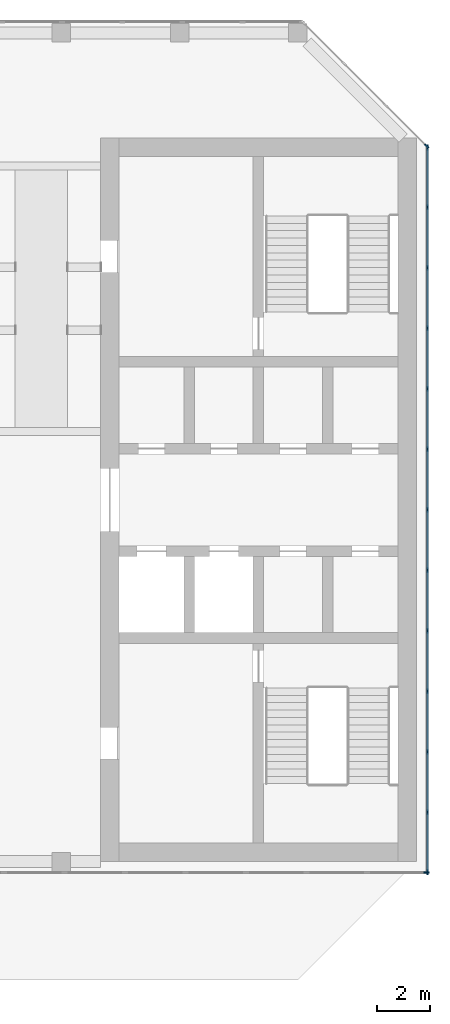
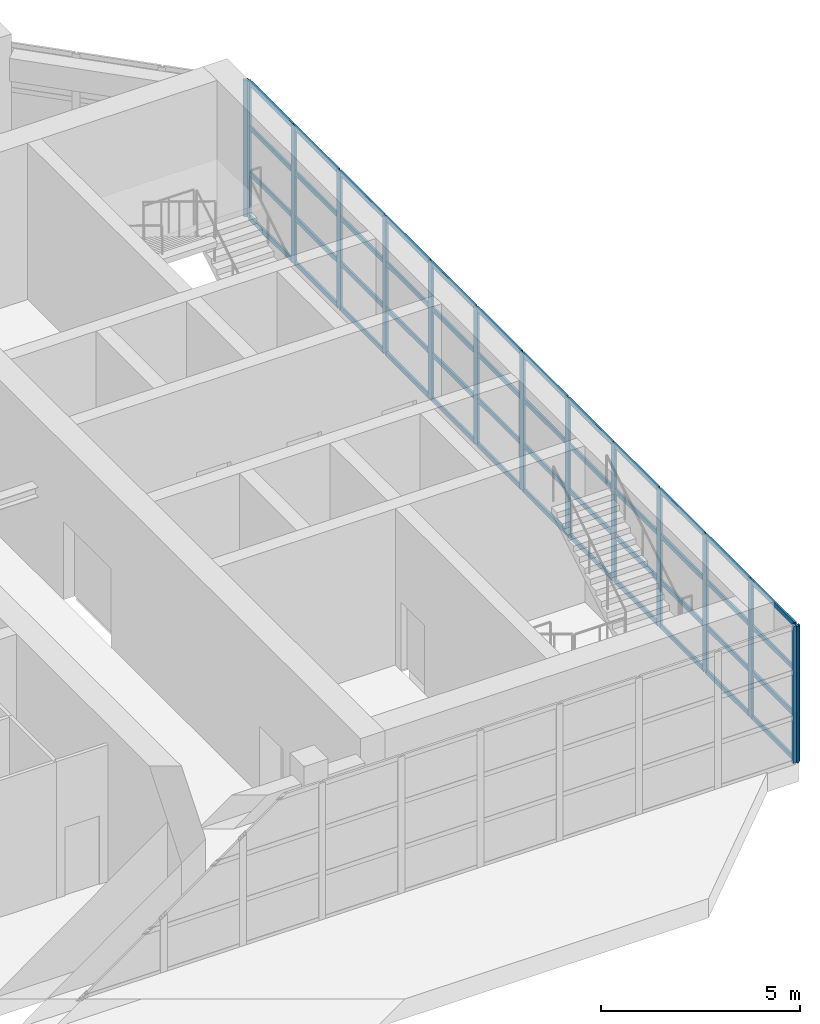
# One storey, part 5 of 13: 63 members, 3 elements without a shape of their own.
"""IFC4 building model written with IfcOpenShell, lengths in metres."""

from ifc_helpers import new_model, si_unit, direction, frame, origin, origin_2d, place, context, subcontext, project, spatial, rectangle, extrude, material, material_profile, profile_set, type_object, element, aggregate, save


model = new_model("IFC4")

# Units and contexts
model_context = context("Model", 3, precision=1e-05, world=origin(), true_north=direction((0.0, 1.0)))
body_context = subcontext(model_context, "Body", "Model", "MODEL_VIEW")
ifc_project = project(units=[si_unit("LENGTHUNIT", "METRE"), si_unit("AREAUNIT", "SQUARE_METRE"), si_unit("VOLUMEUNIT", "CUBIC_METRE"), si_unit("PLANEANGLEUNIT", "RADIAN"), si_unit("MASSUNIT", "GRAM", prefix="KILO")], contexts=[model_context])

# Site, building, storey
site_placement = place(None, origin())
site = spatial("IfcSite", under=ifc_project, at=site_placement, CompositionType="ELEMENT")
building_placement = place(site_placement, origin())
building = spatial("IfcBuilding", under=site, at=building_placement, Name="Corbel Stack Research Tower", CompositionType="ELEMENT")
storey_placement = place(building_placement, frame((0.0, 0.0, 311.800048828125)))
storey = spatial("IfcBuildingStorey", under=building, at=storey_placement, Name="L70", CompositionType="ELEMENT", Elevation=311.800048828125)

# Curtain wall, member
ifc_material_1 = material(Name="Aluminium and glass", Category="aluminium")
curtain_wall_type = type_object("IfcCurtainWallType", Name="CW4C damper hall glazing wall, corner", PredefinedType="NOTDEFINED", material=ifc_material_1)
curtain_wall_1_placement = place(storey_placement, origin())
curtain_wall_1 = element("IfcCurtainWall", 1, at=curtain_wall_1_placement, inside=storey, type_object=curtain_wall_type, Name="Damper hall curtain wall L70 5", PredefinedType="NOTDEFINED")
ifc_material_2 = material(Name="Aluminium, anodised", Category="aluminium")
ifc_material_profile_1 = material_profile(ifc_material_2, rectangle(XDim=0.06005859375, YDim=0.199951171875, at=origin_2d()), Name="CW4 mullion 60 x 200")
ifc_profile_set_1 = profile_set([ifc_material_profile_1], Name="Aluminium, anodised")
member_type_1 = type_object("IfcMemberType", Name="CW4 mullion 60 x 200", PredefinedType="MULLION", material=ifc_profile_set_1)
member_1_placement = place(storey_placement, frame((18.398681640625, 18.1953125, 0.0), z_axis=(0.0, 0.0, 1.0), x_axis=(0.707106781187, 0.707106781187, 0.0)))
member_1 = element("IfcMember", 2, at=member_1_placement, type_object=member_type_1, Name="CW4C mullion 4", PredefinedType="MULLION", context=body_context, shape_type="SweptSolid", body=[
    extrude(rectangle(XDim=0.06005859375, YDim=0.199951171875, at=origin_2d()), origin(), (0.0, 0.0, 1.0), 4.199951171875),
])
aggregate(curtain_wall_1, [member_1])

# Curtain wall, members
curtain_wall_2_placement = place(storey_placement, origin())
curtain_wall_2 = element("IfcCurtainWall", 3, at=curtain_wall_2_placement, inside=storey, type_object=curtain_wall_type, Name="Damper hall curtain wall L70 6", PredefinedType="NOTDEFINED")
member_2_placement = place(storey_placement, frame((18.419921875, 18.14404296875, 0.0), z_axis=(0.0, 0.0, 1.0), x_axis=(1.0, 0.0, 0.0)))
member_2 = element("IfcMember", 4, at=member_2_placement, type_object=member_type_1, Name="CW4C mullion 1", PredefinedType="MULLION", context=body_context, shape_type="SweptSolid", body=[
    extrude(rectangle(XDim=0.06005859375, YDim=0.199951171875, at=origin_2d()), origin(), (0.0, 0.0, 1.0), 4.199951171875),
])
member_3_placement = place(storey_placement, frame((18.419921875, 15.87451171875, 0.0), z_axis=(0.0, 0.0, 1.0), x_axis=(1.0, 0.0, 0.0)))
member_3 = element("IfcMember", 5, at=member_3_placement, type_object=member_type_1, Name="CW4C mullion 2", PredefinedType="MULLION", context=body_context, shape_type="SweptSolid", body=[
    extrude(rectangle(XDim=0.06005859375, YDim=0.199951171875, at=origin_2d()), origin(), (0.0, 0.0, 1.0), 4.199951171875),
])
member_4_placement = place(storey_placement, frame((18.419921875, 13.574951171875, 0.0), z_axis=(0.0, 0.0, 1.0), x_axis=(1.0, 0.0, 0.0)))
member_4 = element("IfcMember", 6, at=member_4_placement, type_object=member_type_1, Name="CW4C mullion 3", PredefinedType="MULLION", context=body_context, shape_type="SweptSolid", body=[
    extrude(rectangle(XDim=0.06005859375, YDim=0.199951171875, at=origin_2d()), origin(), (0.0, 0.0, 1.0), 4.199951171875),
])
member_5_placement = place(storey_placement, frame((18.419921875, 11.275390625, 0.0), z_axis=(0.0, 0.0, 1.0), x_axis=(1.0, 0.0, 0.0)))
member_5 = element("IfcMember", 7, at=member_5_placement, type_object=member_type_1, Name="CW4C mullion 4", PredefinedType="MULLION", context=body_context, shape_type="SweptSolid", body=[
    extrude(rectangle(XDim=0.06005859375, YDim=0.199951171875, at=origin_2d()), origin(), (0.0, 0.0, 1.0), 4.199951171875),
])
member_6_placement = place(storey_placement, frame((18.419921875, 8.97607421875, 0.0), z_axis=(0.0, 0.0, 1.0), x_axis=(1.0, 0.0, 0.0)))
member_6 = element("IfcMember", 8, at=member_6_placement, type_object=member_type_1, Name="CW4C mullion 5", PredefinedType="MULLION", context=body_context, shape_type="SweptSolid", body=[
    extrude(rectangle(XDim=0.06005859375, YDim=0.199951171875, at=origin_2d()), origin(), (0.0, 0.0, 1.0), 4.199951171875),
])
member_7_placement = place(storey_placement, frame((18.419921875, 6.676513671875, 0.0), z_axis=(0.0, 0.0, 1.0), x_axis=(1.0, 0.0, 0.0)))
member_7 = element("IfcMember", 9, at=member_7_placement, type_object=member_type_1, Name="CW4C mullion 6", PredefinedType="MULLION", context=body_context, shape_type="SweptSolid", body=[
    extrude(rectangle(XDim=0.06005859375, YDim=0.199951171875, at=origin_2d()), origin(), (0.0, 0.0, 1.0), 4.199951171875),
])
member_8_placement = place(storey_placement, frame((18.419921875, 4.376953125, 0.0), z_axis=(0.0, 0.0, 1.0), x_axis=(1.0, 0.0, 0.0)))
member_8 = element("IfcMember", 10, at=member_8_placement, type_object=member_type_1, Name="CW4C mullion 7", PredefinedType="MULLION", context=body_context, shape_type="SweptSolid", body=[
    extrude(rectangle(XDim=0.06005859375, YDim=0.199951171875, at=origin_2d()), origin(), (0.0, 0.0, 1.0), 4.199951171875),
])
member_9_placement = place(storey_placement, frame((18.419921875, 2.077392578125, 0.0), z_axis=(0.0, 0.0, 1.0), x_axis=(1.0, 0.0, 0.0)))
member_9 = element("IfcMember", 11, at=member_9_placement, type_object=member_type_1, Name="CW4C mullion 8", PredefinedType="MULLION", context=body_context, shape_type="SweptSolid", body=[
    extrude(rectangle(XDim=0.06005859375, YDim=0.199951171875, at=origin_2d()), origin(), (0.0, 0.0, 1.0), 4.199951171875),
])
member_10_placement = place(storey_placement, frame((18.419921875, -0.221923828125, 0.0), z_axis=(0.0, 0.0, 1.0), x_axis=(1.0, 0.0, 0.0)))
member_10 = element("IfcMember", 12, at=member_10_placement, type_object=member_type_1, Name="CW4C mullion 9", PredefinedType="MULLION", context=body_context, shape_type="SweptSolid", body=[
    extrude(rectangle(XDim=0.06005859375, YDim=0.199951171875, at=origin_2d()), origin(), (0.0, 0.0, 1.0), 4.199951171875),
])
member_11_placement = place(storey_placement, frame((18.419921875, -2.521484375, 0.0), z_axis=(0.0, 0.0, 1.0), x_axis=(1.0, 0.0, 0.0)))
member_11 = element("IfcMember", 13, at=member_11_placement, type_object=member_type_1, Name="CW4C mullion 10", PredefinedType="MULLION", context=body_context, shape_type="SweptSolid", body=[
    extrude(rectangle(XDim=0.06005859375, YDim=0.199951171875, at=origin_2d()), origin(), (0.0, 0.0, 1.0), 4.199951171875),
])
member_12_placement = place(storey_placement, frame((18.419921875, -4.821044921875, 0.0), z_axis=(0.0, 0.0, 1.0), x_axis=(1.0, 0.0, 0.0)))
member_12 = element("IfcMember", 14, at=member_12_placement, type_object=member_type_1, Name="CW4C mullion 11", PredefinedType="MULLION", context=body_context, shape_type="SweptSolid", body=[
    extrude(rectangle(XDim=0.06005859375, YDim=0.199951171875, at=origin_2d()), origin(), (0.0, 0.0, 1.0), 4.199951171875),
])
member_13_placement = place(storey_placement, frame((18.419921875, -7.12060546875, 0.0), z_axis=(0.0, 0.0, 1.0), x_axis=(1.0, 0.0, 0.0)))
member_13 = element("IfcMember", 15, at=member_13_placement, type_object=member_type_1, Name="CW4C mullion 12", PredefinedType="MULLION", context=body_context, shape_type="SweptSolid", body=[
    extrude(rectangle(XDim=0.06005859375, YDim=0.199951171875, at=origin_2d()), origin(), (0.0, 0.0, 1.0), 4.199951171875),
])
member_14_placement = place(storey_placement, frame((18.419921875, -9.389892578125, 0.0), z_axis=(0.0, 0.0, 1.0), x_axis=(1.0, 0.0, 0.0)))
member_14 = element("IfcMember", 16, at=member_14_placement, type_object=member_type_1, Name="CW4C mullion 13", PredefinedType="MULLION", context=body_context, shape_type="SweptSolid", body=[
    extrude(rectangle(XDim=0.06005859375, YDim=0.199951171875, at=origin_2d()), origin(), (0.0, 0.0, 1.0), 4.199951171875),
])

# Curtain wall, member
curtain_wall_3_placement = place(storey_placement, origin())
curtain_wall_3 = element("IfcCurtainWall", 17, at=curtain_wall_3_placement, inside=storey, type_object=curtain_wall_type, Name="Damper hall curtain wall L70 7", PredefinedType="NOTDEFINED")
member_15_placement = place(storey_placement, frame((18.389892578125, -9.419921875, 0.0), z_axis=(0.0, 0.0, 1.0), x_axis=(0.0, -1.0, 0.0)))
member_15 = element("IfcMember", 18, at=member_15_placement, type_object=member_type_1, Name="CW4C mullion 1", PredefinedType="MULLION", context=body_context, shape_type="SweptSolid", body=[
    extrude(rectangle(XDim=0.06005859375, YDim=0.199951171875, at=origin_2d()), origin(), (0.0, 0.0, 1.0), 4.199951171875),
])
aggregate(curtain_wall_3, [member_15])

# Member
ifc_material_3 = material(Name="Aluminium, anodised", Category="aluminium")
ifc_material_profile_2 = material_profile(ifc_material_3, rectangle(XDim=0.06005859375, YDim=0.139892578125, at=origin_2d()), Name="CW4 transom 60 x 140")
ifc_profile_set_2 = profile_set([ifc_material_profile_2], Name="Aluminium, anodised")
member_type_2 = type_object("IfcMemberType", Name="CW4 transom 60 x 140", PredefinedType="USERDEFINED", material=ifc_profile_set_2)
member_16_placement = place(storey_placement, frame((18.419921875, 18.114013671875, 0.030029296875), z_axis=(0.0, -1.0, 0.0), x_axis=(1.0, 0.0, 0.0)))
member_16 = element("IfcMember", 19, at=member_16_placement, type_object=member_type_2, Name="CW4C transom 1.1", ObjectType="TRANSOM", PredefinedType="USERDEFINED", context=body_context, shape_type="SweptSolid", body=[
    extrude(rectangle(XDim=0.06005859375, YDim=0.139892578125, at=origin_2d()), origin(), (0.0, 0.0, 1.0), 2.20947265625),
])

member_17_placement = place(storey_placement, frame((18.419921875, 18.114013671875, 1.39990234375), z_axis=(0.0, -1.0, 0.0), x_axis=(1.0, 0.0, 0.0)))
member_17 = element("IfcMember", 20, at=member_17_placement, type_object=member_type_2, Name="CW4C transom 1.2", ObjectType="TRANSOM", PredefinedType="USERDEFINED", context=body_context, shape_type="SweptSolid", body=[
    extrude(rectangle(XDim=0.06005859375, YDim=0.139892578125, at=origin_2d()), origin(), (0.0, 0.0, 1.0), 2.20947265625),
])

member_18_placement = place(storey_placement, frame((18.419921875, 18.114013671875, 2.800048828125), z_axis=(0.0, -1.0, 0.0), x_axis=(1.0, 0.0, 0.0)))
member_18 = element("IfcMember", 21, at=member_18_placement, type_object=member_type_2, Name="CW4C transom 1.3", ObjectType="TRANSOM", PredefinedType="USERDEFINED", context=body_context, shape_type="SweptSolid", body=[
    extrude(rectangle(XDim=0.06005859375, YDim=0.139892578125, at=origin_2d()), origin(), (0.0, 0.0, 1.0), 2.20947265625),
])

member_19_placement = place(storey_placement, frame((18.419921875, 18.114013671875, 4.169921875), z_axis=(0.0, -1.0, 0.0), x_axis=(1.0, 0.0, 0.0)))
member_19 = element("IfcMember", 22, at=member_19_placement, type_object=member_type_2, Name="CW4C transom 1.4", ObjectType="TRANSOM", PredefinedType="USERDEFINED", context=body_context, shape_type="SweptSolid", body=[
    extrude(rectangle(XDim=0.06005859375, YDim=0.139892578125, at=origin_2d()), origin(), (0.0, 0.0, 1.0), 2.20947265625),
])

member_20_placement = place(storey_placement, frame((18.419921875, 15.844482421875, 0.030029296875), z_axis=(0.0, -1.0, 0.0), x_axis=(1.0, 0.0, 0.0)))
member_20 = element("IfcMember", 23, at=member_20_placement, type_object=member_type_2, Name="CW4C transom 2.1", ObjectType="TRANSOM", PredefinedType="USERDEFINED", context=body_context, shape_type="SweptSolid", body=[
    extrude(rectangle(XDim=0.06005859375, YDim=0.139892578125, at=origin_2d()), origin(), (0.0, 0.0, 1.0), 2.239501953125),
])

member_21_placement = place(storey_placement, frame((18.419921875, 15.844482421875, 1.39990234375), z_axis=(0.0, -1.0, 0.0), x_axis=(1.0, 0.0, 0.0)))
member_21 = element("IfcMember", 24, at=member_21_placement, type_object=member_type_2, Name="CW4C transom 2.2", ObjectType="TRANSOM", PredefinedType="USERDEFINED", context=body_context, shape_type="SweptSolid", body=[
    extrude(rectangle(XDim=0.06005859375, YDim=0.139892578125, at=origin_2d()), origin(), (0.0, 0.0, 1.0), 2.239501953125),
])

member_22_placement = place(storey_placement, frame((18.419921875, 15.844482421875, 2.800048828125), z_axis=(0.0, -1.0, 0.0), x_axis=(1.0, 0.0, 0.0)))
member_22 = element("IfcMember", 25, at=member_22_placement, type_object=member_type_2, Name="CW4C transom 2.3", ObjectType="TRANSOM", PredefinedType="USERDEFINED", context=body_context, shape_type="SweptSolid", body=[
    extrude(rectangle(XDim=0.06005859375, YDim=0.139892578125, at=origin_2d()), origin(), (0.0, 0.0, 1.0), 2.239501953125),
])

member_23_placement = place(storey_placement, frame((18.419921875, 15.844482421875, 4.169921875), z_axis=(0.0, -1.0, 0.0), x_axis=(1.0, 0.0, 0.0)))
member_23 = element("IfcMember", 26, at=member_23_placement, type_object=member_type_2, Name="CW4C transom 2.4", ObjectType="TRANSOM", PredefinedType="USERDEFINED", context=body_context, shape_type="SweptSolid", body=[
    extrude(rectangle(XDim=0.06005859375, YDim=0.139892578125, at=origin_2d()), origin(), (0.0, 0.0, 1.0), 2.239501953125),
])

member_24_placement = place(storey_placement, frame((18.419921875, 13.544921875, 0.030029296875), z_axis=(0.0, -1.0, 0.0), x_axis=(1.0, 0.0, 0.0)))
member_24 = element("IfcMember", 27, at=member_24_placement, type_object=member_type_2, Name="CW4C transom 3.1", ObjectType="TRANSOM", PredefinedType="USERDEFINED", context=body_context, shape_type="SweptSolid", body=[
    extrude(rectangle(XDim=0.06005859375, YDim=0.139892578125, at=origin_2d()), origin(), (0.0, 0.0, 1.0), 2.239501953125),
])

member_25_placement = place(storey_placement, frame((18.419921875, 13.544921875, 1.39990234375), z_axis=(0.0, -1.0, 0.0), x_axis=(1.0, 0.0, 0.0)))
member_25 = element("IfcMember", 28, at=member_25_placement, type_object=member_type_2, Name="CW4C transom 3.2", ObjectType="TRANSOM", PredefinedType="USERDEFINED", context=body_context, shape_type="SweptSolid", body=[
    extrude(rectangle(XDim=0.06005859375, YDim=0.139892578125, at=origin_2d()), origin(), (0.0, 0.0, 1.0), 2.239501953125),
])

member_26_placement = place(storey_placement, frame((18.419921875, 13.544921875, 2.800048828125), z_axis=(0.0, -1.0, 0.0), x_axis=(1.0, 0.0, 0.0)))
member_26 = element("IfcMember", 29, at=member_26_placement, type_object=member_type_2, Name="CW4C transom 3.3", ObjectType="TRANSOM", PredefinedType="USERDEFINED", context=body_context, shape_type="SweptSolid", body=[
    extrude(rectangle(XDim=0.06005859375, YDim=0.139892578125, at=origin_2d()), origin(), (0.0, 0.0, 1.0), 2.239501953125),
])

member_27_placement = place(storey_placement, frame((18.419921875, 13.544921875, 4.169921875), z_axis=(0.0, -1.0, 0.0), x_axis=(1.0, 0.0, 0.0)))
member_27 = element("IfcMember", 30, at=member_27_placement, type_object=member_type_2, Name="CW4C transom 3.4", ObjectType="TRANSOM", PredefinedType="USERDEFINED", context=body_context, shape_type="SweptSolid", body=[
    extrude(rectangle(XDim=0.06005859375, YDim=0.139892578125, at=origin_2d()), origin(), (0.0, 0.0, 1.0), 2.239501953125),
])

member_28_placement = place(storey_placement, frame((18.419921875, 11.24560546875, 0.030029296875), z_axis=(0.0, -1.0, 0.0), x_axis=(1.0, 0.0, 0.0)))
member_28 = element("IfcMember", 31, at=member_28_placement, type_object=member_type_2, Name="CW4C transom 4.1", ObjectType="TRANSOM", PredefinedType="USERDEFINED", context=body_context, shape_type="SweptSolid", body=[
    extrude(rectangle(XDim=0.06005859375, YDim=0.139892578125, at=origin_2d()), origin(), (0.0, 0.0, 1.0), 2.239501953125),
])

member_29_placement = place(storey_placement, frame((18.419921875, 11.24560546875, 1.39990234375), z_axis=(0.0, -1.0, 0.0), x_axis=(1.0, 0.0, 0.0)))
member_29 = element("IfcMember", 32, at=member_29_placement, type_object=member_type_2, Name="CW4C transom 4.2", ObjectType="TRANSOM", PredefinedType="USERDEFINED", context=body_context, shape_type="SweptSolid", body=[
    extrude(rectangle(XDim=0.06005859375, YDim=0.139892578125, at=origin_2d()), origin(), (0.0, 0.0, 1.0), 2.239501953125),
])

member_30_placement = place(storey_placement, frame((18.419921875, 11.24560546875, 2.800048828125), z_axis=(0.0, -1.0, 0.0), x_axis=(1.0, 0.0, 0.0)))
member_30 = element("IfcMember", 33, at=member_30_placement, type_object=member_type_2, Name="CW4C transom 4.3", ObjectType="TRANSOM", PredefinedType="USERDEFINED", context=body_context, shape_type="SweptSolid", body=[
    extrude(rectangle(XDim=0.06005859375, YDim=0.139892578125, at=origin_2d()), origin(), (0.0, 0.0, 1.0), 2.239501953125),
])

member_31_placement = place(storey_placement, frame((18.419921875, 11.24560546875, 4.169921875), z_axis=(0.0, -1.0, 0.0), x_axis=(1.0, 0.0, 0.0)))
member_31 = element("IfcMember", 34, at=member_31_placement, type_object=member_type_2, Name="CW4C transom 4.4", ObjectType="TRANSOM", PredefinedType="USERDEFINED", context=body_context, shape_type="SweptSolid", body=[
    extrude(rectangle(XDim=0.06005859375, YDim=0.139892578125, at=origin_2d()), origin(), (0.0, 0.0, 1.0), 2.239501953125),
])

member_32_placement = place(storey_placement, frame((18.419921875, 8.946044921875, 0.030029296875), z_axis=(0.0, -1.0, 0.0), x_axis=(1.0, 0.0, 0.0)))
member_32 = element("IfcMember", 35, at=member_32_placement, type_object=member_type_2, Name="CW4C transom 5.1", ObjectType="TRANSOM", PredefinedType="USERDEFINED", context=body_context, shape_type="SweptSolid", body=[
    extrude(rectangle(XDim=0.06005859375, YDim=0.139892578125, at=origin_2d()), origin(), (0.0, 0.0, 1.0), 2.239501953125),
])

member_33_placement = place(storey_placement, frame((18.419921875, 8.946044921875, 1.39990234375), z_axis=(0.0, -1.0, 0.0), x_axis=(1.0, 0.0, 0.0)))
member_33 = element("IfcMember", 36, at=member_33_placement, type_object=member_type_2, Name="CW4C transom 5.2", ObjectType="TRANSOM", PredefinedType="USERDEFINED", context=body_context, shape_type="SweptSolid", body=[
    extrude(rectangle(XDim=0.06005859375, YDim=0.139892578125, at=origin_2d()), origin(), (0.0, 0.0, 1.0), 2.239501953125),
])

member_34_placement = place(storey_placement, frame((18.419921875, 8.946044921875, 2.800048828125), z_axis=(0.0, -1.0, 0.0), x_axis=(1.0, 0.0, 0.0)))
member_34 = element("IfcMember", 37, at=member_34_placement, type_object=member_type_2, Name="CW4C transom 5.3", ObjectType="TRANSOM", PredefinedType="USERDEFINED", context=body_context, shape_type="SweptSolid", body=[
    extrude(rectangle(XDim=0.06005859375, YDim=0.139892578125, at=origin_2d()), origin(), (0.0, 0.0, 1.0), 2.239501953125),
])

member_35_placement = place(storey_placement, frame((18.419921875, 8.946044921875, 4.169921875), z_axis=(0.0, -1.0, 0.0), x_axis=(1.0, 0.0, 0.0)))
member_35 = element("IfcMember", 38, at=member_35_placement, type_object=member_type_2, Name="CW4C transom 5.4", ObjectType="TRANSOM", PredefinedType="USERDEFINED", context=body_context, shape_type="SweptSolid", body=[
    extrude(rectangle(XDim=0.06005859375, YDim=0.139892578125, at=origin_2d()), origin(), (0.0, 0.0, 1.0), 2.239501953125),
])

member_36_placement = place(storey_placement, frame((18.419921875, 6.646484375, 0.030029296875), z_axis=(0.0, -1.0, 0.0), x_axis=(1.0, 0.0, 0.0)))
member_36 = element("IfcMember", 39, at=member_36_placement, type_object=member_type_2, Name="CW4C transom 6.1", ObjectType="TRANSOM", PredefinedType="USERDEFINED", context=body_context, shape_type="SweptSolid", body=[
    extrude(rectangle(XDim=0.06005859375, YDim=0.139892578125, at=origin_2d()), origin(), (0.0, 0.0, 1.0), 2.239501953125),
])

member_37_placement = place(storey_placement, frame((18.419921875, 6.646484375, 1.39990234375), z_axis=(0.0, -1.0, 0.0), x_axis=(1.0, 0.0, 0.0)))
member_37 = element("IfcMember", 40, at=member_37_placement, type_object=member_type_2, Name="CW4C transom 6.2", ObjectType="TRANSOM", PredefinedType="USERDEFINED", context=body_context, shape_type="SweptSolid", body=[
    extrude(rectangle(XDim=0.06005859375, YDim=0.139892578125, at=origin_2d()), origin(), (0.0, 0.0, 1.0), 2.239501953125),
])

member_38_placement = place(storey_placement, frame((18.419921875, 6.646484375, 2.800048828125), z_axis=(0.0, -1.0, 0.0), x_axis=(1.0, 0.0, 0.0)))
member_38 = element("IfcMember", 41, at=member_38_placement, type_object=member_type_2, Name="CW4C transom 6.3", ObjectType="TRANSOM", PredefinedType="USERDEFINED", context=body_context, shape_type="SweptSolid", body=[
    extrude(rectangle(XDim=0.06005859375, YDim=0.139892578125, at=origin_2d()), origin(), (0.0, 0.0, 1.0), 2.239501953125),
])

member_39_placement = place(storey_placement, frame((18.419921875, 6.646484375, 4.169921875), z_axis=(0.0, -1.0, 0.0), x_axis=(1.0, 0.0, 0.0)))
member_39 = element("IfcMember", 42, at=member_39_placement, type_object=member_type_2, Name="CW4C transom 6.4", ObjectType="TRANSOM", PredefinedType="USERDEFINED", context=body_context, shape_type="SweptSolid", body=[
    extrude(rectangle(XDim=0.06005859375, YDim=0.139892578125, at=origin_2d()), origin(), (0.0, 0.0, 1.0), 2.239501953125),
])

member_40_placement = place(storey_placement, frame((18.419921875, 4.346923828125, 0.030029296875), z_axis=(0.0, -1.0, 0.0), x_axis=(1.0, 0.0, 0.0)))
member_40 = element("IfcMember", 43, at=member_40_placement, type_object=member_type_2, Name="CW4C transom 7.1", ObjectType="TRANSOM", PredefinedType="USERDEFINED", context=body_context, shape_type="SweptSolid", body=[
    extrude(rectangle(XDim=0.06005859375, YDim=0.139892578125, at=origin_2d()), origin(), (0.0, 0.0, 1.0), 2.239501953125),
])

member_41_placement = place(storey_placement, frame((18.419921875, 4.346923828125, 1.39990234375), z_axis=(0.0, -1.0, 0.0), x_axis=(1.0, 0.0, 0.0)))
member_41 = element("IfcMember", 44, at=member_41_placement, type_object=member_type_2, Name="CW4C transom 7.2", ObjectType="TRANSOM", PredefinedType="USERDEFINED", context=body_context, shape_type="SweptSolid", body=[
    extrude(rectangle(XDim=0.06005859375, YDim=0.139892578125, at=origin_2d()), origin(), (0.0, 0.0, 1.0), 2.239501953125),
])

member_42_placement = place(storey_placement, frame((18.419921875, 4.346923828125, 2.800048828125), z_axis=(0.0, -1.0, 0.0), x_axis=(1.0, 0.0, 0.0)))
member_42 = element("IfcMember", 45, at=member_42_placement, type_object=member_type_2, Name="CW4C transom 7.3", ObjectType="TRANSOM", PredefinedType="USERDEFINED", context=body_context, shape_type="SweptSolid", body=[
    extrude(rectangle(XDim=0.06005859375, YDim=0.139892578125, at=origin_2d()), origin(), (0.0, 0.0, 1.0), 2.239501953125),
])

member_43_placement = place(storey_placement, frame((18.419921875, 4.346923828125, 4.169921875), z_axis=(0.0, -1.0, 0.0), x_axis=(1.0, 0.0, 0.0)))
member_43 = element("IfcMember", 46, at=member_43_placement, type_object=member_type_2, Name="CW4C transom 7.4", ObjectType="TRANSOM", PredefinedType="USERDEFINED", context=body_context, shape_type="SweptSolid", body=[
    extrude(rectangle(XDim=0.06005859375, YDim=0.139892578125, at=origin_2d()), origin(), (0.0, 0.0, 1.0), 2.239501953125),
])

member_44_placement = place(storey_placement, frame((18.419921875, 2.047607421875, 0.030029296875), z_axis=(0.0, -1.0, 0.0), x_axis=(1.0, 0.0, 0.0)))
member_44 = element("IfcMember", 47, at=member_44_placement, type_object=member_type_2, Name="CW4C transom 8.1", ObjectType="TRANSOM", PredefinedType="USERDEFINED", context=body_context, shape_type="SweptSolid", body=[
    extrude(rectangle(XDim=0.06005859375, YDim=0.139892578125, at=origin_2d()), origin(), (0.0, 0.0, 1.0), 2.239501953125),
])

member_45_placement = place(storey_placement, frame((18.419921875, 2.047607421875, 1.39990234375), z_axis=(0.0, -1.0, 0.0), x_axis=(1.0, 0.0, 0.0)))
member_45 = element("IfcMember", 48, at=member_45_placement, type_object=member_type_2, Name="CW4C transom 8.2", ObjectType="TRANSOM", PredefinedType="USERDEFINED", context=body_context, shape_type="SweptSolid", body=[
    extrude(rectangle(XDim=0.06005859375, YDim=0.139892578125, at=origin_2d()), origin(), (0.0, 0.0, 1.0), 2.239501953125),
])

member_46_placement = place(storey_placement, frame((18.419921875, 2.047607421875, 2.800048828125), z_axis=(0.0, -1.0, 0.0), x_axis=(1.0, 0.0, 0.0)))
member_46 = element("IfcMember", 49, at=member_46_placement, type_object=member_type_2, Name="CW4C transom 8.3", ObjectType="TRANSOM", PredefinedType="USERDEFINED", context=body_context, shape_type="SweptSolid", body=[
    extrude(rectangle(XDim=0.06005859375, YDim=0.139892578125, at=origin_2d()), origin(), (0.0, 0.0, 1.0), 2.239501953125),
])

member_47_placement = place(storey_placement, frame((18.419921875, 2.047607421875, 4.169921875), z_axis=(0.0, -1.0, 0.0), x_axis=(1.0, 0.0, 0.0)))
member_47 = element("IfcMember", 50, at=member_47_placement, type_object=member_type_2, Name="CW4C transom 8.4", ObjectType="TRANSOM", PredefinedType="USERDEFINED", context=body_context, shape_type="SweptSolid", body=[
    extrude(rectangle(XDim=0.06005859375, YDim=0.139892578125, at=origin_2d()), origin(), (0.0, 0.0, 1.0), 2.239501953125),
])

member_48_placement = place(storey_placement, frame((18.419921875, -0.251953125, 0.030029296875), z_axis=(0.0, -1.0, 0.0), x_axis=(1.0, 0.0, 0.0)))
member_48 = element("IfcMember", 51, at=member_48_placement, type_object=member_type_2, Name="CW4C transom 9.1", ObjectType="TRANSOM", PredefinedType="USERDEFINED", context=body_context, shape_type="SweptSolid", body=[
    extrude(rectangle(XDim=0.06005859375, YDim=0.139892578125, at=origin_2d()), origin(), (0.0, 0.0, 1.0), 2.239501953125),
])

member_49_placement = place(storey_placement, frame((18.419921875, -0.251953125, 1.39990234375), z_axis=(0.0, -1.0, 0.0), x_axis=(1.0, 0.0, 0.0)))
member_49 = element("IfcMember", 52, at=member_49_placement, type_object=member_type_2, Name="CW4C transom 9.2", ObjectType="TRANSOM", PredefinedType="USERDEFINED", context=body_context, shape_type="SweptSolid", body=[
    extrude(rectangle(XDim=0.06005859375, YDim=0.139892578125, at=origin_2d()), origin(), (0.0, 0.0, 1.0), 2.239501953125),
])

member_50_placement = place(storey_placement, frame((18.419921875, -0.251953125, 2.800048828125), z_axis=(0.0, -1.0, 0.0), x_axis=(1.0, 0.0, 0.0)))
member_50 = element("IfcMember", 53, at=member_50_placement, type_object=member_type_2, Name="CW4C transom 9.3", ObjectType="TRANSOM", PredefinedType="USERDEFINED", context=body_context, shape_type="SweptSolid", body=[
    extrude(rectangle(XDim=0.06005859375, YDim=0.139892578125, at=origin_2d()), origin(), (0.0, 0.0, 1.0), 2.239501953125),
])

member_51_placement = place(storey_placement, frame((18.419921875, -0.251953125, 4.169921875), z_axis=(0.0, -1.0, 0.0), x_axis=(1.0, 0.0, 0.0)))
member_51 = element("IfcMember", 54, at=member_51_placement, type_object=member_type_2, Name="CW4C transom 9.4", ObjectType="TRANSOM", PredefinedType="USERDEFINED", context=body_context, shape_type="SweptSolid", body=[
    extrude(rectangle(XDim=0.06005859375, YDim=0.139892578125, at=origin_2d()), origin(), (0.0, 0.0, 1.0), 2.239501953125),
])

member_52_placement = place(storey_placement, frame((18.419921875, -2.551513671875, 0.030029296875), z_axis=(0.0, -1.0, 0.0), x_axis=(1.0, 0.0, 0.0)))
member_52 = element("IfcMember", 55, at=member_52_placement, type_object=member_type_2, Name="CW4C transom 10.1", ObjectType="TRANSOM", PredefinedType="USERDEFINED", context=body_context, shape_type="SweptSolid", body=[
    extrude(rectangle(XDim=0.06005859375, YDim=0.139892578125, at=origin_2d()), origin(), (0.0, 0.0, 1.0), 2.239501953125),
])

member_53_placement = place(storey_placement, frame((18.419921875, -2.551513671875, 1.39990234375), z_axis=(0.0, -1.0, 0.0), x_axis=(1.0, 0.0, 0.0)))
member_53 = element("IfcMember", 56, at=member_53_placement, type_object=member_type_2, Name="CW4C transom 10.2", ObjectType="TRANSOM", PredefinedType="USERDEFINED", context=body_context, shape_type="SweptSolid", body=[
    extrude(rectangle(XDim=0.06005859375, YDim=0.139892578125, at=origin_2d()), origin(), (0.0, 0.0, 1.0), 2.239501953125),
])

member_54_placement = place(storey_placement, frame((18.419921875, -2.551513671875, 2.800048828125), z_axis=(0.0, -1.0, 0.0), x_axis=(1.0, 0.0, 0.0)))
member_54 = element("IfcMember", 57, at=member_54_placement, type_object=member_type_2, Name="CW4C transom 10.3", ObjectType="TRANSOM", PredefinedType="USERDEFINED", context=body_context, shape_type="SweptSolid", body=[
    extrude(rectangle(XDim=0.06005859375, YDim=0.139892578125, at=origin_2d()), origin(), (0.0, 0.0, 1.0), 2.239501953125),
])

member_55_placement = place(storey_placement, frame((18.419921875, -2.551513671875, 4.169921875), z_axis=(0.0, -1.0, 0.0), x_axis=(1.0, 0.0, 0.0)))
member_55 = element("IfcMember", 58, at=member_55_placement, type_object=member_type_2, Name="CW4C transom 10.4", ObjectType="TRANSOM", PredefinedType="USERDEFINED", context=body_context, shape_type="SweptSolid", body=[
    extrude(rectangle(XDim=0.06005859375, YDim=0.139892578125, at=origin_2d()), origin(), (0.0, 0.0, 1.0), 2.239501953125),
])

member_56_placement = place(storey_placement, frame((18.419921875, -4.85107421875, 0.030029296875), z_axis=(0.0, -1.0, 0.0), x_axis=(1.0, 0.0, 0.0)))
member_56 = element("IfcMember", 59, at=member_56_placement, type_object=member_type_2, Name="CW4C transom 11.1", ObjectType="TRANSOM", PredefinedType="USERDEFINED", context=body_context, shape_type="SweptSolid", body=[
    extrude(rectangle(XDim=0.06005859375, YDim=0.139892578125, at=origin_2d()), origin(), (0.0, 0.0, 1.0), 2.239501953125),
])

member_57_placement = place(storey_placement, frame((18.419921875, -4.85107421875, 1.39990234375), z_axis=(0.0, -1.0, 0.0), x_axis=(1.0, 0.0, 0.0)))
member_57 = element("IfcMember", 60, at=member_57_placement, type_object=member_type_2, Name="CW4C transom 11.2", ObjectType="TRANSOM", PredefinedType="USERDEFINED", context=body_context, shape_type="SweptSolid", body=[
    extrude(rectangle(XDim=0.06005859375, YDim=0.139892578125, at=origin_2d()), origin(), (0.0, 0.0, 1.0), 2.239501953125),
])

member_58_placement = place(storey_placement, frame((18.419921875, -4.85107421875, 2.800048828125), z_axis=(0.0, -1.0, 0.0), x_axis=(1.0, 0.0, 0.0)))
member_58 = element("IfcMember", 61, at=member_58_placement, type_object=member_type_2, Name="CW4C transom 11.3", ObjectType="TRANSOM", PredefinedType="USERDEFINED", context=body_context, shape_type="SweptSolid", body=[
    extrude(rectangle(XDim=0.06005859375, YDim=0.139892578125, at=origin_2d()), origin(), (0.0, 0.0, 1.0), 2.239501953125),
])

member_59_placement = place(storey_placement, frame((18.419921875, -4.85107421875, 4.169921875), z_axis=(0.0, -1.0, 0.0), x_axis=(1.0, 0.0, 0.0)))
member_59 = element("IfcMember", 62, at=member_59_placement, type_object=member_type_2, Name="CW4C transom 11.4", ObjectType="TRANSOM", PredefinedType="USERDEFINED", context=body_context, shape_type="SweptSolid", body=[
    extrude(rectangle(XDim=0.06005859375, YDim=0.139892578125, at=origin_2d()), origin(), (0.0, 0.0, 1.0), 2.239501953125),
])

member_60_placement = place(storey_placement, frame((18.419921875, -7.150390625, 0.030029296875), z_axis=(0.0, -1.0, 0.0), x_axis=(1.0, 0.0, 0.0)))
member_60 = element("IfcMember", 63, at=member_60_placement, type_object=member_type_2, Name="CW4C transom 12.1", ObjectType="TRANSOM", PredefinedType="USERDEFINED", context=body_context, shape_type="SweptSolid", body=[
    extrude(rectangle(XDim=0.06005859375, YDim=0.139892578125, at=origin_2d()), origin(), (0.0, 0.0, 1.0), 2.209716796875),
])

member_61_placement = place(storey_placement, frame((18.419921875, -7.150390625, 1.39990234375), z_axis=(0.0, -1.0, 0.0), x_axis=(1.0, 0.0, 0.0)))
member_61 = element("IfcMember", 64, at=member_61_placement, type_object=member_type_2, Name="CW4C transom 12.2", ObjectType="TRANSOM", PredefinedType="USERDEFINED", context=body_context, shape_type="SweptSolid", body=[
    extrude(rectangle(XDim=0.06005859375, YDim=0.139892578125, at=origin_2d()), origin(), (0.0, 0.0, 1.0), 2.209716796875),
])

member_62_placement = place(storey_placement, frame((18.419921875, -7.150390625, 2.800048828125), z_axis=(0.0, -1.0, 0.0), x_axis=(1.0, 0.0, 0.0)))
member_62 = element("IfcMember", 65, at=member_62_placement, type_object=member_type_2, Name="CW4C transom 12.3", ObjectType="TRANSOM", PredefinedType="USERDEFINED", context=body_context, shape_type="SweptSolid", body=[
    extrude(rectangle(XDim=0.06005859375, YDim=0.139892578125, at=origin_2d()), origin(), (0.0, 0.0, 1.0), 2.209716796875),
])

member_63_placement = place(storey_placement, frame((18.419921875, -7.150390625, 4.169921875), z_axis=(0.0, -1.0, 0.0), x_axis=(1.0, 0.0, 0.0)))
member_63 = element("IfcMember", 66, at=member_63_placement, type_object=member_type_2, Name="CW4C transom 12.4", ObjectType="TRANSOM", PredefinedType="USERDEFINED", context=body_context, shape_type="SweptSolid", body=[
    extrude(rectangle(XDim=0.06005859375, YDim=0.139892578125, at=origin_2d()), origin(), (0.0, 0.0, 1.0), 2.209716796875),
])

aggregate(curtain_wall_2, [member_2, member_3, member_4, member_5, member_6, member_7, member_8, member_9, member_10, member_11, member_12, member_13, member_14, member_16, member_17, member_18, member_19, member_20, member_21, member_22, member_23, member_24, member_25, member_26, member_27, member_28, member_29, member_30, member_31, member_32, member_33, member_34, member_35, member_36, member_37, member_38, member_39, member_40, member_41, member_42, member_43, member_44, member_45, member_46, member_47, member_48, member_49, member_50, member_51, member_52, member_53, member_54, member_55, member_56, member_57, member_58, member_59, member_60, member_61, member_62, member_63])

save(model, "model.ifc")
